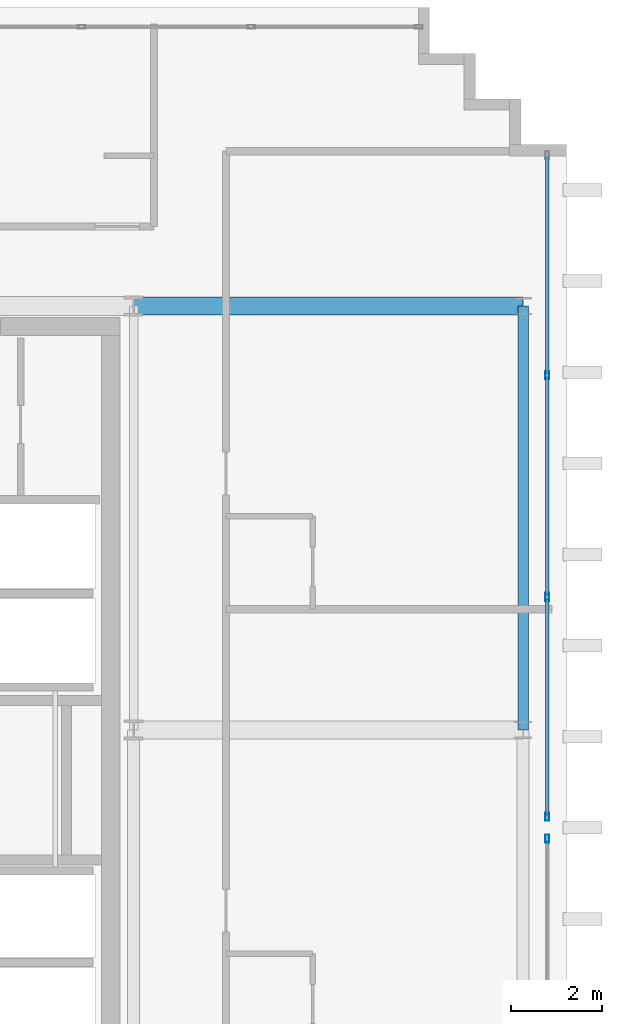
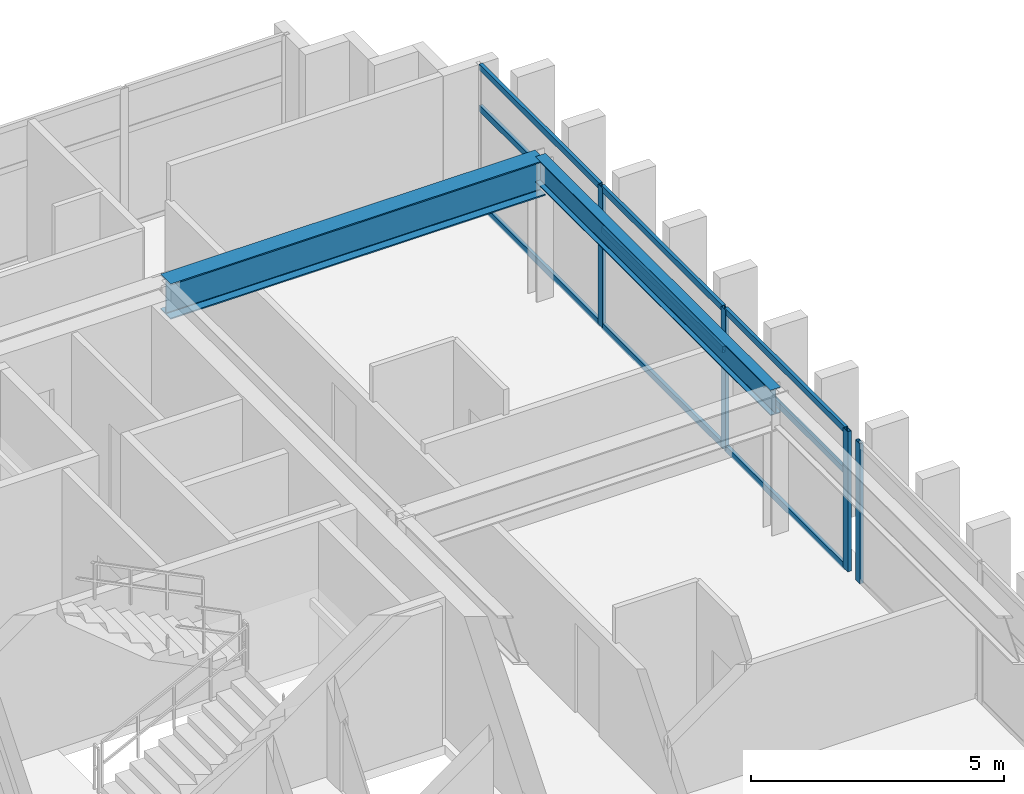
# One storey, part 8 of 15: 13 members, 2 beams, 2 elements without a shape of their own.
"""IFC4 building model written with IfcOpenShell, lengths in metres."""

from ifc_helpers import new_model, si_unit, direction, frame, origin, origin_2d, place, context, subcontext, project, spatial, hollow_rectangle, i_section, extrude, source, transform, mapped, material, layer, layer_set, material_profile, profile_set, type_object, element, aggregate, save


model = new_model("IFC4")

# Units and contexts
model_context = context("Model", 3, precision=1e-05, world=origin(), true_north=direction((0.0, 1.0)))
body_context = subcontext(model_context, "Body", "Model", "MODEL_VIEW")
ifc_project = project(units=[si_unit("LENGTHUNIT", "METRE"), si_unit("AREAUNIT", "SQUARE_METRE"), si_unit("VOLUMEUNIT", "CUBIC_METRE"), si_unit("PLANEANGLEUNIT", "RADIAN"), si_unit("MASSUNIT", "GRAM", prefix="KILO")], contexts=[model_context])

# Site, building, storey
site_placement = place(None, origin())
site = spatial("IfcSite", under=ifc_project, at=site_placement, CompositionType="ELEMENT")
building_placement = place(site_placement, origin())
building = spatial("IfcBuilding", under=site, at=building_placement, Name="Ocotamira Hotel", CompositionType="ELEMENT")
storey_placement = place(building_placement, frame((0.0, 0.0, 276.0)))
storey = spatial("IfcBuildingStorey", under=building, at=storey_placement, Name="L70", CompositionType="ELEMENT", Elevation=276.0)

# Beams
ifc_material_1 = material(Name="Steel ASTM A992 Grade 50", Category="steel")
ifc_material_profile_1 = material_profile(ifc_material_1, i_section(OverallWidth=0.22998046875, OverallDepth=0.616943359375, WebThickness=0.01318359375, FlangeThickness=0.022216796875, FilletRadius=0.012939453125, at=origin_2d()), Name="W24X94")
ifc_profile_set_1 = profile_set([ifc_material_profile_1], Name="Steel ASTM A992 Grade 50")
beam_type_1 = type_object("IfcBeamType", Name="BM-PRIM-W24X94", PredefinedType="BEAM", material=ifc_profile_set_1)
shared_shape_1 = source(origin(), body_context, "Body", "SweptSolid", [
    extrude(i_section(OverallWidth=0.22998046875, OverallDepth=0.616943359375, WebThickness=0.01318359375, FlangeThickness=0.022216796875, FilletRadius=0.012939453125, at=origin_2d()), origin(), (0.0, 0.0, 1.0), 9.300048828125),
])
beam_1_placement = place(storey_placement, frame((32.050048828125, 28.14990234375, 3.071533203125), z_axis=(0.0, 1.0, 0.0), x_axis=(-1.0, 0.0, 0.0)))
element("IfcBeam", 1, at=beam_1_placement, inside=storey, type_object=beam_type_1, Name="L70 Beam X32.05 Y28.15-37.45", PredefinedType="BEAM", context=body_context, shape_type="MappedRepresentation", body=[
    mapped(shared_shape_1, transform((0.0, 0.0, 0.0), scale=1.0)),
])
ifc_material_profile_2 = material_profile(ifc_material_1, i_section(OverallWidth=0.39990234375, OverallDepth=0.85595703125, WebThickness=0.018310546875, FlangeThickness=0.029296875, FilletRadius=0.02001953125, at=origin_2d()), Name="W33X201")
ifc_profile_set_2 = profile_set([ifc_material_profile_2], Name="Steel ASTM A992 Grade 50")
beam_type_2 = type_object("IfcBeamType", Name="BM-GIRD-W33X201", PredefinedType="BEAM", material=ifc_profile_set_2)
shared_shape_2 = source(origin(), body_context, "Body", "SweptSolid", [
    extrude(i_section(OverallWidth=0.39990234375, OverallDepth=0.85595703125, WebThickness=0.018310546875, FlangeThickness=0.029296875, FilletRadius=0.02001953125, at=origin_2d()), origin(), (0.0, 0.0, 1.0), 8.550048828125),
])
beam_2_placement = place(storey_placement, frame((23.5, 37.449951171875, 2.951904296875), z_axis=(1.0, 0.0, 0.0), x_axis=(0.0, 1.0, 0.0)))
element("IfcBeam", 2, at=beam_2_placement, inside=storey, type_object=beam_type_2, Name="L70 Girder Y37.45 X23.5-32.05", PredefinedType="BEAM", context=body_context, shape_type="MappedRepresentation", body=[
    mapped(shared_shape_2, transform((0.0, 0.0, 0.0), scale=1.0)),
])

# Curtain wall, member
ifc_material_2 = material(Name="Anodised pale-metal aluminium and solar glass", Category="aluminium")
ifc_layer = layer(ifc_material_2, 0.2099609375)
ifc_layer_set = layer_set([ifc_layer], Name="Anodised pale-metal aluminium and solar glass")
curtain_wall_type = type_object("IfcCurtainWallType", Name="CW-SYS7-PEAK", PredefinedType="NOTDEFINED", material=ifc_layer_set)
curtain_wall_1_placement = place(storey_placement, origin())
curtain_wall_1 = element("IfcCurtainWall", 3, at=curtain_wall_1_placement, inside=storey, type_object=curtain_wall_type, Name="L70 Curtain Wall CW-7 CW-L70-E1", PredefinedType="NOTDEFINED")
ifc_material_3 = material(Name="Anodised pale-metal aluminium 6063-T6", Category="aluminium")
ifc_material_profile_3 = material_profile(ifc_material_3, hollow_rectangle(XDim=0.080078125, YDim=0.179931640625, WallThickness=0.006103515625, at=origin_2d()), Name="HSS180X80X6")
ifc_profile_set_3 = profile_set([ifc_material_profile_3], Name="Anodised pale-metal aluminium 6063-T6")
member_type_1 = type_object("IfcMemberType", Name="CWM-180X75", PredefinedType="MULLION", material=ifc_profile_set_3)
shared_shape_3 = source(origin(), body_context, "Body", "SweptSolid", [
    extrude(hollow_rectangle(XDim=0.080078125, YDim=0.179931640625, WallThickness=0.006103515625, at=origin_2d()), origin(), (0.0, 0.0, 1.0), 3.3798828125),
])
member_1_placement = place(storey_placement, frame((32.580078125, 25.760009765625, 0.0), z_axis=(0.0, 0.0, 1.0), x_axis=(-1.0, 0.0, 0.0)))
member_1 = element("IfcMember", 4, at=member_1_placement, type_object=member_type_1, Name="CW-7 mullion 4", PredefinedType="MULLION", context=body_context, shape_type="MappedRepresentation", body=[
    mapped(shared_shape_3, transform((0.0, 0.0, 0.0), scale=1.0)),
])
aggregate(curtain_wall_1, [member_1])

# Curtain wall, members
curtain_wall_2_placement = place(storey_placement, origin())
curtain_wall_2 = element("IfcCurtainWall", 5, at=curtain_wall_2_placement, inside=storey, type_object=curtain_wall_type, Name="L70 Curtain Wall CW-7 CW-L70-E2", PredefinedType="NOTDEFINED")
member_2_placement = place(storey_placement, frame((32.580078125, 26.239990234375, 0.0), z_axis=(0.0, 0.0, 1.0), x_axis=(-1.0, 0.0, 0.0)))
member_2 = element("IfcMember", 6, at=member_2_placement, type_object=member_type_1, Name="CW-7 mullion 1", PredefinedType="MULLION", context=body_context, shape_type="MappedRepresentation", body=[
    mapped(shared_shape_3, transform((0.0, 0.0, 0.0), scale=1.0)),
])
member_3_placement = place(storey_placement, frame((32.580078125, 31.066650390625, 0.0), z_axis=(0.0, 0.0, 1.0), x_axis=(-1.0, 0.0, 0.0)))
member_3 = element("IfcMember", 7, at=member_3_placement, type_object=member_type_1, Name="CW-7 mullion 2", PredefinedType="MULLION", context=body_context, shape_type="MappedRepresentation", body=[
    mapped(shared_shape_3, transform((0.0, 0.0, 0.0), scale=1.0)),
])
member_4_placement = place(storey_placement, frame((32.580078125, 35.933349609375, 0.0), z_axis=(0.0, 0.0, 1.0), x_axis=(-1.0, 0.0, 0.0)))
member_4 = element("IfcMember", 8, at=member_4_placement, type_object=member_type_1, Name="CW-7 mullion 3", PredefinedType="MULLION", context=body_context, shape_type="MappedRepresentation", body=[
    mapped(shared_shape_3, transform((0.0, 0.0, 0.0), scale=1.0)),
])
ifc_material_profile_4 = material_profile(ifc_material_3, hollow_rectangle(XDim=0.074951171875, YDim=0.14990234375, WallThickness=0.006103515625, at=origin_2d()), Name="HSS150X75X6")
ifc_profile_set_4 = profile_set([ifc_material_profile_4], Name="Anodised pale-metal aluminium 6063-T6")
member_type_2 = type_object("IfcMemberType", Name="CWT-150X75", PredefinedType="USERDEFINED", material=ifc_profile_set_4)
shared_shape_4 = source(origin(), body_context, "Body", "SweptSolid", [
    extrude(hollow_rectangle(XDim=0.074951171875, YDim=0.14990234375, WallThickness=0.006103515625, at=origin_2d()), origin(), (0.0, 0.0, 1.0), 4.74658203125),
])
member_5_placement = place(storey_placement, frame((32.580078125, 26.280029296875, 0.03759765625), z_axis=(0.0, 1.0, 0.0), x_axis=(-1.0, 0.0, 0.0)))
member_5 = element("IfcMember", 9, at=member_5_placement, type_object=member_type_2, Name="CW-7 transom 1.1", ObjectType="TRANSOM", PredefinedType="USERDEFINED", context=body_context, shape_type="MappedRepresentation", body=[
    mapped(shared_shape_4, transform((0.0, 0.0, 0.0), scale=1.0)),
])
member_6_placement = place(storey_placement, frame((32.580078125, 26.280029296875, 2.35009765625), z_axis=(0.0, 1.0, 0.0), x_axis=(-1.0, 0.0, 0.0)))
member_6 = element("IfcMember", 10, at=member_6_placement, type_object=member_type_2, Name="CW-7 transom 1.2", ObjectType="TRANSOM", PredefinedType="USERDEFINED", context=body_context, shape_type="MappedRepresentation", body=[
    mapped(shared_shape_4, transform((0.0, 0.0, 0.0), scale=1.0)),
])
member_7_placement = place(storey_placement, frame((32.580078125, 26.280029296875, 3.342529296875), z_axis=(0.0, 1.0, 0.0), x_axis=(-1.0, 0.0, 0.0)))
member_7 = element("IfcMember", 11, at=member_7_placement, type_object=member_type_2, Name="CW-7 transom 1.3", ObjectType="TRANSOM", PredefinedType="USERDEFINED", context=body_context, shape_type="MappedRepresentation", body=[
    mapped(shared_shape_4, transform((0.0, 0.0, 0.0), scale=1.0)),
])
member_8_placement = place(storey_placement, frame((32.580078125, 35.973388671875, 0.03759765625), z_axis=(0.0, 1.0, 0.0), x_axis=(-1.0, 0.0, 0.0)))
member_8 = element("IfcMember", 12, at=member_8_placement, type_object=member_type_2, Name="CW-7 transom 3.1", ObjectType="TRANSOM", PredefinedType="USERDEFINED", context=body_context, shape_type="MappedRepresentation", body=[
    mapped(shared_shape_4, transform((0.0, 0.0, 0.0), scale=1.0)),
])
member_9_placement = place(storey_placement, frame((32.580078125, 35.973388671875, 2.35009765625), z_axis=(0.0, 1.0, 0.0), x_axis=(-1.0, 0.0, 0.0)))
member_9 = element("IfcMember", 13, at=member_9_placement, type_object=member_type_2, Name="CW-7 transom 3.2", ObjectType="TRANSOM", PredefinedType="USERDEFINED", context=body_context, shape_type="MappedRepresentation", body=[
    mapped(shared_shape_4, transform((0.0, 0.0, 0.0), scale=1.0)),
])
member_10_placement = place(storey_placement, frame((32.580078125, 35.973388671875, 3.342529296875), z_axis=(0.0, 1.0, 0.0), x_axis=(-1.0, 0.0, 0.0)))
member_10 = element("IfcMember", 14, at=member_10_placement, type_object=member_type_2, Name="CW-7 transom 3.3", ObjectType="TRANSOM", PredefinedType="USERDEFINED", context=body_context, shape_type="MappedRepresentation", body=[
    mapped(shared_shape_4, transform((0.0, 0.0, 0.0), scale=1.0)),
])
shared_shape_5 = source(origin(), body_context, "Body", "SweptSolid", [
    extrude(hollow_rectangle(XDim=0.074951171875, YDim=0.14990234375, WallThickness=0.006103515625, at=origin_2d()), origin(), (0.0, 0.0, 1.0), 4.78662109375),
])
member_11_placement = place(storey_placement, frame((32.580078125, 31.106689453125, 0.03759765625), z_axis=(0.0, 1.0, 0.0), x_axis=(-1.0, 0.0, 0.0)))
member_11 = element("IfcMember", 15, at=member_11_placement, type_object=member_type_2, Name="CW-7 transom 2.1", ObjectType="TRANSOM", PredefinedType="USERDEFINED", context=body_context, shape_type="MappedRepresentation", body=[
    mapped(shared_shape_5, transform((0.0, 0.0, 0.0), scale=1.0)),
])
member_12_placement = place(storey_placement, frame((32.580078125, 31.106689453125, 2.35009765625), z_axis=(0.0, 1.0, 0.0), x_axis=(-1.0, 0.0, 0.0)))
member_12 = element("IfcMember", 16, at=member_12_placement, type_object=member_type_2, Name="CW-7 transom 2.2", ObjectType="TRANSOM", PredefinedType="USERDEFINED", context=body_context, shape_type="MappedRepresentation", body=[
    mapped(shared_shape_5, transform((0.0, 0.0, 0.0), scale=1.0)),
])
member_13_placement = place(storey_placement, frame((32.580078125, 31.106689453125, 3.342529296875), z_axis=(0.0, 1.0, 0.0), x_axis=(-1.0, 0.0, 0.0)))
member_13 = element("IfcMember", 17, at=member_13_placement, type_object=member_type_2, Name="CW-7 transom 2.3", ObjectType="TRANSOM", PredefinedType="USERDEFINED", context=body_context, shape_type="MappedRepresentation", body=[
    mapped(shared_shape_5, transform((0.0, 0.0, 0.0), scale=1.0)),
])
aggregate(curtain_wall_2, [member_2, member_3, member_4, member_5, member_6, member_7, member_11, member_12, member_13, member_8, member_9, member_10])

save(model, "model.ifc")
